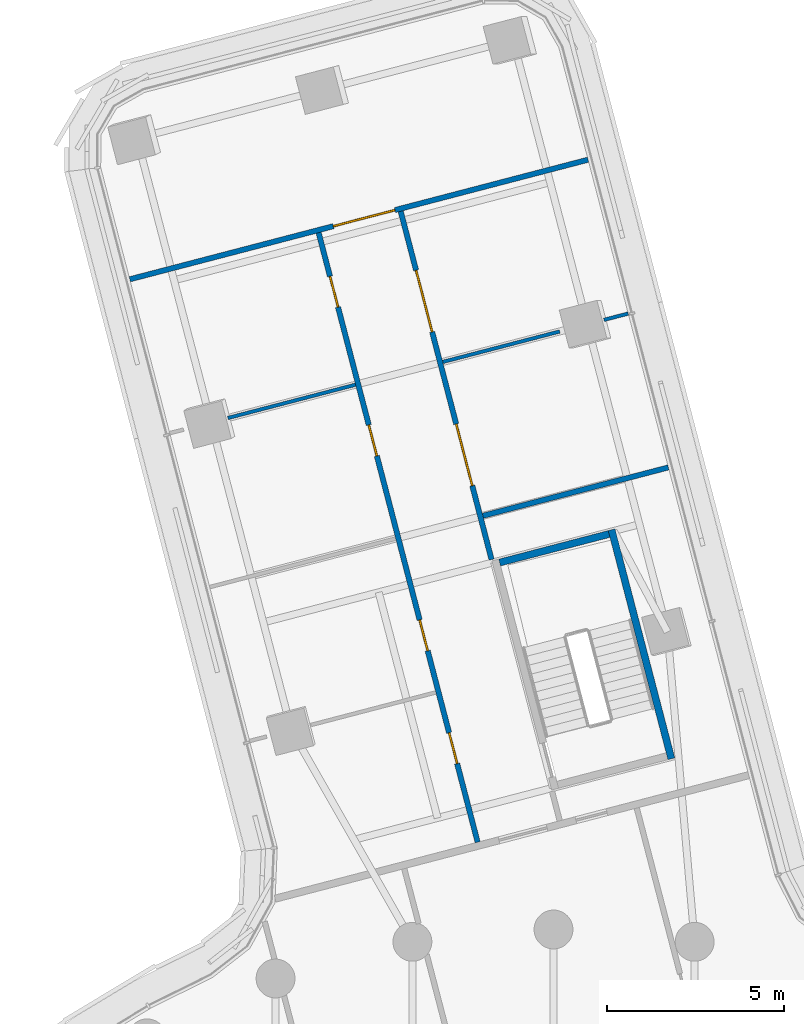
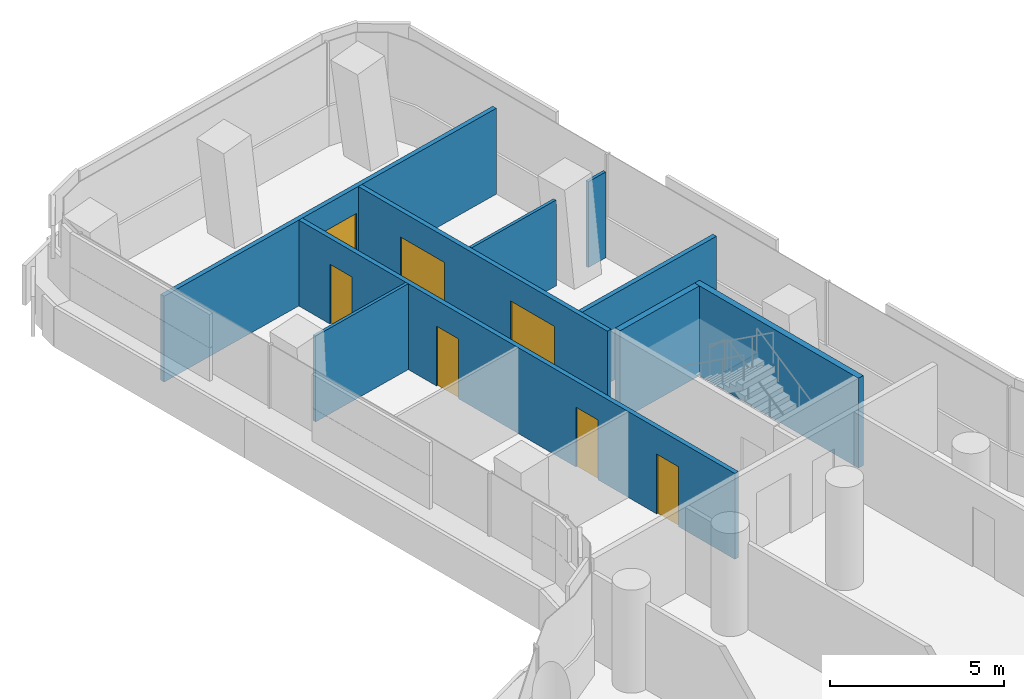
# One storey, part 22 of 30: 9 walls, 7 doors, 7 openings.
"""IFC4 building model written with IfcOpenShell, lengths in metres."""

from ifc_helpers import new_model, si_unit, direction, frame, frame_2d, origin, place, context, subcontext, project, spatial, polyline, rectangle, outline, extrude, material, layer, layer_set, type_object, element, fill, save


model = new_model("IFC4")

# Units and contexts
model_context = context("Model", 3, precision=1e-05, world=origin(), true_north=direction((0.0, 1.0)))
body_context = subcontext(model_context, "Body", "Model", "MODEL_VIEW")
ifc_project = project(units=[si_unit("LENGTHUNIT", "METRE"), si_unit("AREAUNIT", "SQUARE_METRE"), si_unit("VOLUMEUNIT", "CUBIC_METRE"), si_unit("PLANEANGLEUNIT", "RADIAN"), si_unit("MASSUNIT", "GRAM", prefix="KILO")], contexts=[model_context])

# Site, building, storey
site_placement = place(None, origin())
site = spatial("IfcSite", under=ifc_project, at=site_placement, CompositionType="ELEMENT")
building_placement = place(site_placement, origin())
building = spatial("IfcBuilding", under=site, at=building_placement, Name="Tamarind Cross Interchange Tower", CompositionType="ELEMENT")
storey_placement = place(building_placement, frame((0.0, 0.0, 87.25)))
storey = spatial("IfcBuildingStorey", under=building, at=storey_placement, Name="L20", CompositionType="ELEMENT", Elevation=87.25)

# Walls
ifc_material_1 = material(Name="Gypsum board partition on steel studs", Category="steel")
ifc_layer_1 = layer(ifc_material_1, 0.10009765625)
ifc_layer_set_1 = layer_set([ifc_layer_1], Name="Gypsum board partition on steel studs")
wall_type_1 = type_object("IfcWallType", Name="Partition 100 mm EI 90", PredefinedType="PARTITIONING", material=ifc_layer_set_1)
wall_1_placement = place(storey_placement, frame((-9.216796875, 37.47412109375, 0.0), z_axis=(0.0, 0.0, 1.0), x_axis=(0.967615884167, 0.252427218634, 0.0)))
element("IfcWall", 1, at=wall_1_placement, inside=storey, type_object=wall_type_1, Name="Partition L20-049", PredefinedType="PARTITIONING", context=body_context, shape_type="SweptSolid", body=[
    extrude(rectangle(XDim=3.735107421875, YDim=0.10009765625, at=frame_2d((1.86767578125, 0.0))), origin(), (0.0, 0.0, 1.0), 3.010009765625),
])
wall_2_placement = place(storey_placement, frame((-3.130615234375, 39.06201171875, 0.0), z_axis=(0.0, 0.0, 1.0), x_axis=(0.967606644623, 0.252462633435, 0.0)))
element("IfcWall", 2, at=wall_2_placement, inside=storey, type_object=wall_type_1, Name="Partition L20-050", PredefinedType="PARTITIONING", context=body_context, shape_type="SweptSolid", body=[
    extrude(rectangle(XDim=3.41552734375, YDim=0.10009765625, at=frame_2d((1.707763671875, 0.0))), origin(), (0.0, 0.0, 1.0), 3.010009765625),
])
wall_3_placement = place(storey_placement, frame((1.426513671875, 40.251220703125, 0.0), z_axis=(0.0, 0.0, 1.0), x_axis=(0.967602659433, 0.25247790687, 0.0)))
element("IfcWall", 3, at=wall_3_placement, inside=storey, type_object=wall_type_1, Name="Partition L20-051", PredefinedType="PARTITIONING", context=body_context, shape_type="SweptSolid", body=[
    extrude(rectangle(XDim=0.709716796875, YDim=0.10009765625, at=frame_2d((0.35498046875, 0.0))), origin(), (0.0, 0.0, 1.0), 3.010009765625),
])

# Wall, openings, doors
ifc_layer_2 = layer(ifc_material_1, 0.14990234375)
ifc_layer_set_2 = layer_set([ifc_layer_2], Name="Gypsum board partition on steel studs")
wall_type_2 = type_object("IfcWallType", Name="Partition 150 mm EI 120", PredefinedType="PARTITIONING", material=ifc_layer_set_2)
wall_4_placement = place(storey_placement, frame((-6.647216796875, 42.71728515625, 0.0), z_axis=(0.0, 0.0, 1.0), x_axis=(0.252465388291, -0.967605925837, 0.0)))
wall_4 = element("IfcWall", 4, at=wall_4_placement, inside=storey, type_object=wall_type_2, Name="Partition L20-009", PredefinedType="PARTITIONING", context=body_context, shape_type="SweptSolid", body=[
    extrude(rectangle(XDim=17.82421875, YDim=0.14990234375, at=frame_2d((8.912109375, 0.0))), origin(), (0.0, 0.0, 1.0), 3.010009765625),
])
opening_1_placement = place(wall_4_placement, frame((14.62451171875, 0.0, 0.0)))
opening_1 = element("IfcOpeningElement", 5, at=opening_1_placement, cuts=wall_4, Name="Opening D03", PredefinedType="OPENING", context=body_context, shape_type="SweptSolid", body=[
    extrude(rectangle(XDim=0.89990234375, YDim=2.10009765625, at=frame_2d((0.449951171875, 1.050048828125))), frame((0.0, 0.0849609375, 0.0), z_axis=(0.0, -1.0, 0.0), x_axis=(1.0, 0.0, 0.0)), (0.0, 0.0, 1.0), 0.169921875),
])
opening_2_placement = place(wall_4_placement, frame((11.32470703125, 0.0, 0.0)))
opening_2 = element("IfcOpeningElement", 6, at=opening_2_placement, cuts=wall_4, Name="Opening D04", PredefinedType="OPENING", context=body_context, shape_type="SweptSolid", body=[
    extrude(rectangle(XDim=0.89990234375, YDim=2.10009765625, at=frame_2d((0.449951171875, 1.050048828125))), frame((0.0, 0.0849609375, 0.0), z_axis=(0.0, -1.0, 0.0), x_axis=(1.0, 0.0, 0.0)), (0.0, 0.0, 1.0), 0.169921875),
])
opening_3_placement = place(wall_4_placement, frame((5.624755859375, 0.0, 0.0)))
opening_3 = element("IfcOpeningElement", 7, at=opening_3_placement, cuts=wall_4, Name="Opening D05", PredefinedType="OPENING", context=body_context, shape_type="SweptSolid", body=[
    extrude(rectangle(XDim=0.89990234375, YDim=2.10009765625, at=frame_2d((0.449951171875, 1.050048828125))), frame((0.0, 0.0849609375, 0.0), z_axis=(0.0, -1.0, 0.0), x_axis=(1.0, 0.0, 0.0)), (0.0, 0.0, 1.0), 0.169921875),
])
opening_4_placement = place(wall_4_placement, frame((1.27490234375, 0.0, 0.0)))
opening_4 = element("IfcOpeningElement", 8, at=opening_4_placement, cuts=wall_4, Name="Opening D06", PredefinedType="OPENING", context=body_context, shape_type="SweptSolid", body=[
    extrude(rectangle(XDim=0.89990234375, YDim=2.10009765625, at=frame_2d((0.449951171875, 1.050048828125))), frame((0.0, 0.0849609375, 0.0), z_axis=(0.0, -1.0, 0.0), x_axis=(1.0, 0.0, 0.0)), (0.0, 0.0, 1.0), 0.169921875),
])
ifc_material_2 = material(Name="Fire-resisting door set")
door_type_1 = type_object("IfcDoorType", Name="Interior door 900 x 2100 FD60S", OperationType="SINGLE_SWING_LEFT", PredefinedType="DOOR", material=ifc_material_2)
door_1_placement = place(opening_1_placement, frame((0.89990234375, 0.0, 0.0), z_axis=(0.0, 0.0, 1.0), x_axis=(-1.0, 0.0, 0.0)))
door_1 = element("IfcDoor", 9, at=door_1_placement, inside=storey, type_object=door_type_1, Name="Door D03", OperationType="SINGLE_SWING_RIGHT", OverallHeight=2.10009765625, OverallWidth=0.89990234375, PredefinedType="DOOR", context=body_context, shape_type="SweptSolid", body=[
    extrude(rectangle(XDim=0.89990234375, YDim=2.10009765625, at=frame_2d((0.449951171875, 1.050048828125))), frame((0.0, 0.02490234375, 0.0), z_axis=(0.0, -1.0, 0.0), x_axis=(1.0, 0.0, 0.0)), (0.0, 0.0, 1.0), 0.050048828125),
])
fill(opening_1, door_1)
door_2_placement = place(opening_2_placement, frame((0.89990234375, 0.0, 0.0), z_axis=(0.0, 0.0, 1.0), x_axis=(-1.0, 0.0, 0.0)))
door_2 = element("IfcDoor", 10, at=door_2_placement, inside=storey, type_object=door_type_1, Name="Door D04", OperationType="SINGLE_SWING_RIGHT", OverallHeight=2.10009765625, OverallWidth=0.89990234375, PredefinedType="DOOR", context=body_context, shape_type="SweptSolid", body=[
    extrude(rectangle(XDim=0.89990234375, YDim=2.10009765625, at=frame_2d((0.449951171875, 1.050048828125))), frame((0.0, 0.02490234375, 0.0), z_axis=(0.0, -1.0, 0.0), x_axis=(1.0, 0.0, 0.0)), (0.0, 0.0, 1.0), 0.050048828125),
])
fill(opening_2, door_2)
door_3_placement = place(opening_3_placement, frame((0.89990234375, 0.0, 0.0), z_axis=(0.0, 0.0, 1.0), x_axis=(-1.0, 0.0, 0.0)))
door_3 = element("IfcDoor", 11, at=door_3_placement, inside=storey, type_object=door_type_1, Name="Door D05", OperationType="SINGLE_SWING_LEFT", OverallHeight=2.10009765625, OverallWidth=0.89990234375, PredefinedType="DOOR", context=body_context, shape_type="SweptSolid", body=[
    extrude(rectangle(XDim=0.89990234375, YDim=2.10009765625, at=frame_2d((0.449951171875, 1.050048828125))), frame((0.0, 0.02490234375, 0.0), z_axis=(0.0, -1.0, 0.0), x_axis=(1.0, 0.0, 0.0)), (0.0, 0.0, 1.0), 0.050048828125),
])
fill(opening_3, door_3)
door_4_placement = place(opening_4_placement, frame((0.89990234375, 0.0, 0.0), z_axis=(0.0, 0.0, 1.0), x_axis=(-1.0, 0.0, 0.0)))
door_4 = element("IfcDoor", 12, at=door_4_placement, inside=storey, type_object=door_type_1, Name="Door D06", OperationType="SINGLE_SWING_LEFT", OverallHeight=2.10009765625, OverallWidth=0.89990234375, PredefinedType="DOOR", context=body_context, shape_type="SweptSolid", body=[
    extrude(rectangle(XDim=0.89990234375, YDim=2.10009765625, at=frame_2d((0.449951171875, 1.050048828125))), frame((0.0, 0.02490234375, 0.0), z_axis=(0.0, -1.0, 0.0), x_axis=(1.0, 0.0, 0.0)), (0.0, 0.0, 1.0), 0.050048828125),
])
fill(opening_4, door_4)

wall_5_placement = place(storey_placement, frame((-4.3251953125, 43.323486328125, 0.0), z_axis=(0.0, 0.0, 1.0), x_axis=(0.252528256356, -0.967589520273, 0.0)))
wall_5 = element("IfcWall", 13, at=wall_5_placement, inside=storey, type_object=wall_type_2, Name="Partition L20-011", PredefinedType="PARTITIONING", context=body_context, shape_type="SweptSolid", body=[
    extrude(rectangle(XDim=10.18505859375, YDim=0.14990234375, at=frame_2d((5.092529296875, 0.0))), origin(), (0.0, 0.0, 1.0), 3.010009765625),
])
opening_5_placement = place(wall_5_placement, frame((6.224853515625, 0.0, 0.0)))
opening_5 = element("IfcOpeningElement", 14, at=opening_5_placement, cuts=wall_5, Name="Opening D08", PredefinedType="OPENING", context=body_context, shape_type="SweptSolid", body=[
    extrude(rectangle(XDim=1.800048828125, YDim=2.10009765625, at=frame_2d((0.89990234375, 1.050048828125))), frame((0.0, 0.0849609375, 0.0), z_axis=(0.0, -1.0, 0.0), x_axis=(1.0, 0.0, 0.0)), (0.0, 0.0, 1.0), 0.169921875),
])
opening_6_placement = place(wall_5_placement, frame((1.72509765625, 0.0, 0.0)))
opening_6 = element("IfcOpeningElement", 15, at=opening_6_placement, cuts=wall_5, Name="Opening D09", PredefinedType="OPENING", context=body_context, shape_type="SweptSolid", body=[
    extrude(rectangle(XDim=1.800048828125, YDim=2.10009765625, at=frame_2d((0.89990234375, 1.050048828125))), frame((0.0, 0.0849609375, 0.0), z_axis=(0.0, -1.0, 0.0), x_axis=(1.0, 0.0, 0.0)), (0.0, 0.0, 1.0), 0.169921875),
])
door_type_2 = type_object("IfcDoorType", Name="Interior door 1800 x 2100 FD60S", OperationType="DOUBLE_DOOR_SINGLE_SWING", PredefinedType="DOOR", material=ifc_material_2)
door_5_placement = place(opening_5_placement, origin())
door_5 = element("IfcDoor", 16, at=door_5_placement, inside=storey, type_object=door_type_2, Name="Door D08", OperationType="DOUBLE_DOOR_SINGLE_SWING", OverallHeight=2.10009765625, OverallWidth=1.800048828125, PredefinedType="DOOR", context=body_context, shape_type="SweptSolid", body=[
    extrude(rectangle(XDim=1.800048828125, YDim=2.10009765625, at=frame_2d((0.89990234375, 1.050048828125))), frame((0.0, 0.02490234375, 0.0), z_axis=(0.0, -1.0, 0.0), x_axis=(1.0, 0.0, 0.0)), (0.0, 0.0, 1.0), 0.050048828125),
])
fill(opening_5, door_5)
door_6_placement = place(opening_6_placement, origin())
door_6 = element("IfcDoor", 17, at=door_6_placement, inside=storey, type_object=door_type_2, Name="Door D09", OperationType="DOUBLE_DOOR_SINGLE_SWING", OverallHeight=2.10009765625, OverallWidth=1.800048828125, PredefinedType="DOOR", context=body_context, shape_type="SweptSolid", body=[
    extrude(rectangle(XDim=1.800048828125, YDim=2.10009765625, at=frame_2d((0.89990234375, 1.050048828125))), frame((0.0, 0.02490234375, 0.0), z_axis=(0.0, -1.0, 0.0), x_axis=(1.0, 0.0, 0.0)), (0.0, 0.0, 1.0), 0.050048828125),
])
fill(opening_6, door_6)

# Wall, opening, door
wall_6_placement = place(storey_placement, frame((-11.9912109375, 41.400146484375, 0.0), z_axis=(0.0, 0.0, 1.0), x_axis=(0.967588829671, 0.252530902456, 0.0)))
wall_6 = element("IfcWall", 18, at=wall_6_placement, inside=storey, type_object=wall_type_2, Name="Partition L20-047", PredefinedType="PARTITIONING", context=body_context, shape_type="SweptSolid", body=[
    extrude(rectangle(XDim=13.40234375, YDim=0.14990234375, at=frame_2d((6.701171875, 0.0))), origin(), (0.0, 0.0, 1.0), 3.010009765625),
])
opening_7_placement = place(wall_6_placement, frame((5.953369140625, 0.0, 0.0)))
opening_7 = element("IfcOpeningElement", 19, at=opening_7_placement, cuts=wall_6, Name="Opening D29", PredefinedType="OPENING", context=body_context, shape_type="SweptSolid", body=[
    extrude(rectangle(XDim=1.800048828125, YDim=2.10009765625, at=frame_2d((0.89990234375, 1.050048828125))), frame((0.0, 0.0849609375, 0.0), z_axis=(0.0, -1.0, 0.0), x_axis=(1.0, 0.0, 0.0)), (0.0, 0.0, 1.0), 0.169921875),
])
door_7_placement = place(opening_7_placement, origin())
door_7 = element("IfcDoor", 20, at=door_7_placement, inside=storey, type_object=door_type_2, Name="Door D29", OperationType="DOUBLE_DOOR_SINGLE_SWING", OverallHeight=2.10009765625, OverallWidth=1.800048828125, PredefinedType="DOOR", context=body_context, shape_type="SweptSolid", body=[
    extrude(rectangle(XDim=1.800048828125, YDim=2.10009765625, at=frame_2d((0.89990234375, 1.050048828125))), frame((0.0, 0.02490234375, 0.0), z_axis=(0.0, -1.0, 0.0), x_axis=(1.0, 0.0, 0.0)), (0.0, 0.0, 1.0), 0.050048828125),
])
fill(opening_7, door_7)

# Walls
wall_7_placement = place(storey_placement, frame((-1.998291015625, 34.706787109375, 0.0), z_axis=(0.0, 0.0, 1.0), x_axis=(0.967588584289, 0.252531842655, 0.0)))
element("IfcWall", 21, at=wall_7_placement, inside=storey, type_object=wall_type_2, Name="Partition L20-053", PredefinedType="PARTITIONING", context=body_context, shape_type="SweptSolid", body=[
    extrude(rectangle(XDim=5.423583984375, YDim=0.14990234375, at=frame_2d((2.7119140625, 0.0))), origin(), (0.0, 0.0, 1.0), 3.010009765625),
])
ifc_material_3 = material(Name="Concrete C40", Category="concrete")
ifc_layer_3 = layer(ifc_material_3, 0.199951171875)
ifc_layer_set_3 = layer_set([ifc_layer_3], Name="Concrete C40")
wall_type_3 = type_object("IfcWallType", Name="Stair shaft wall 200 mm Concrete C40", PredefinedType="SHEAR", material=ifc_layer_set_3)
wall_8_placement = place(storey_placement, frame((3.33544921875, 27.831298828125, -0.139892578125), z_axis=(0.0, 0.0, 1.0), x_axis=(-0.252519796493, 0.967591728147, 0.0)))
element("IfcWall", 22, at=wall_8_placement, inside=storey, type_object=wall_type_3, Name="Core wall CWL-L20-ST4-C", PredefinedType="SHEAR", context=body_context, shape_type="SweptSolid", body=[
    extrude(rectangle(XDim=6.699951171875, YDim=0.199951171875, at=frame_2d((3.35009765625, 0.0))), origin(), (0.0, 0.0, 1.0), 3.14990234375),
])
wall_9_placement = place(storey_placement, frame((0.0, 0.0, -0.139892578125)))
element("IfcWall", 23, at=wall_9_placement, inside=storey, type_object=wall_type_3, Name="Core wall CWL-L20-ST4-CF", PredefinedType="SHEAR", context=body_context, shape_type="SweptSolid", body=[
    extrude(outline(polyline([(1.597412109375, 34.095458984375), (1.546875, 34.288818359375), (-1.549560546875, 33.480712890625), (-1.498779296875, 33.287353515625), (1.597412109375, 34.095458984375)])), origin(), (0.0, 0.0, 1.0), 3.14990234375),
])

save(model, "model.ifc")
